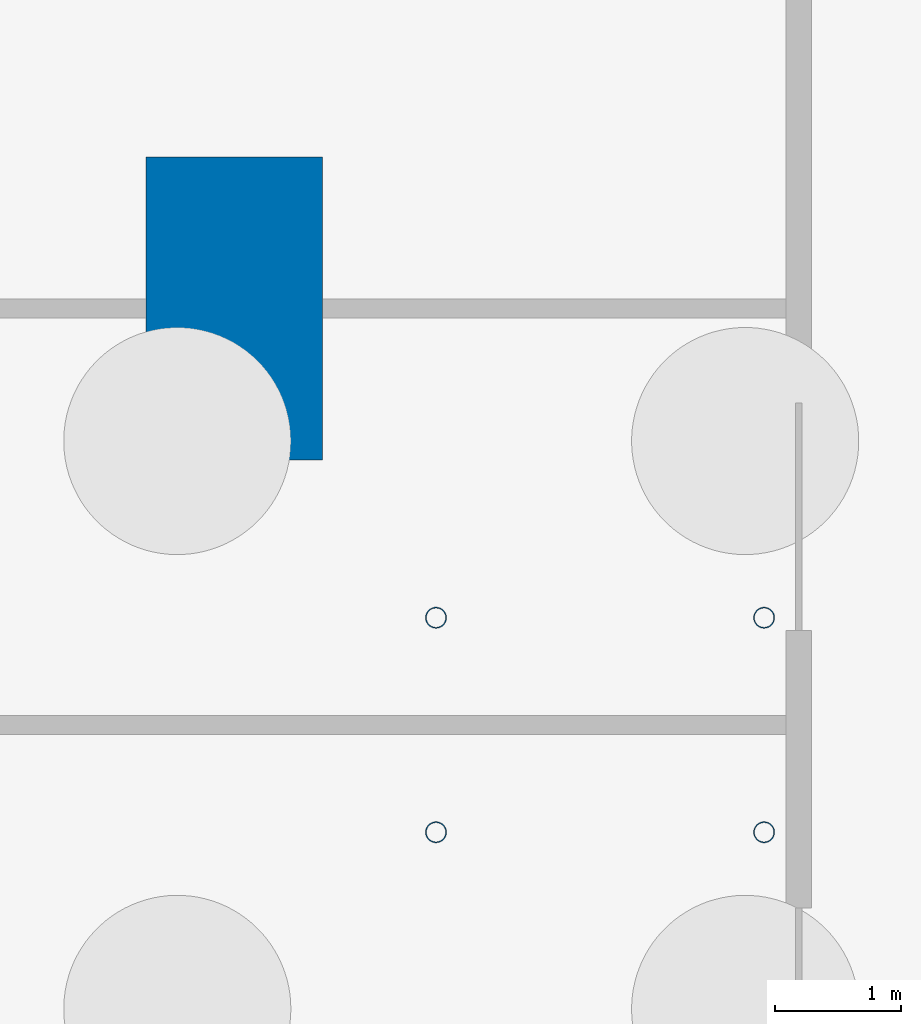
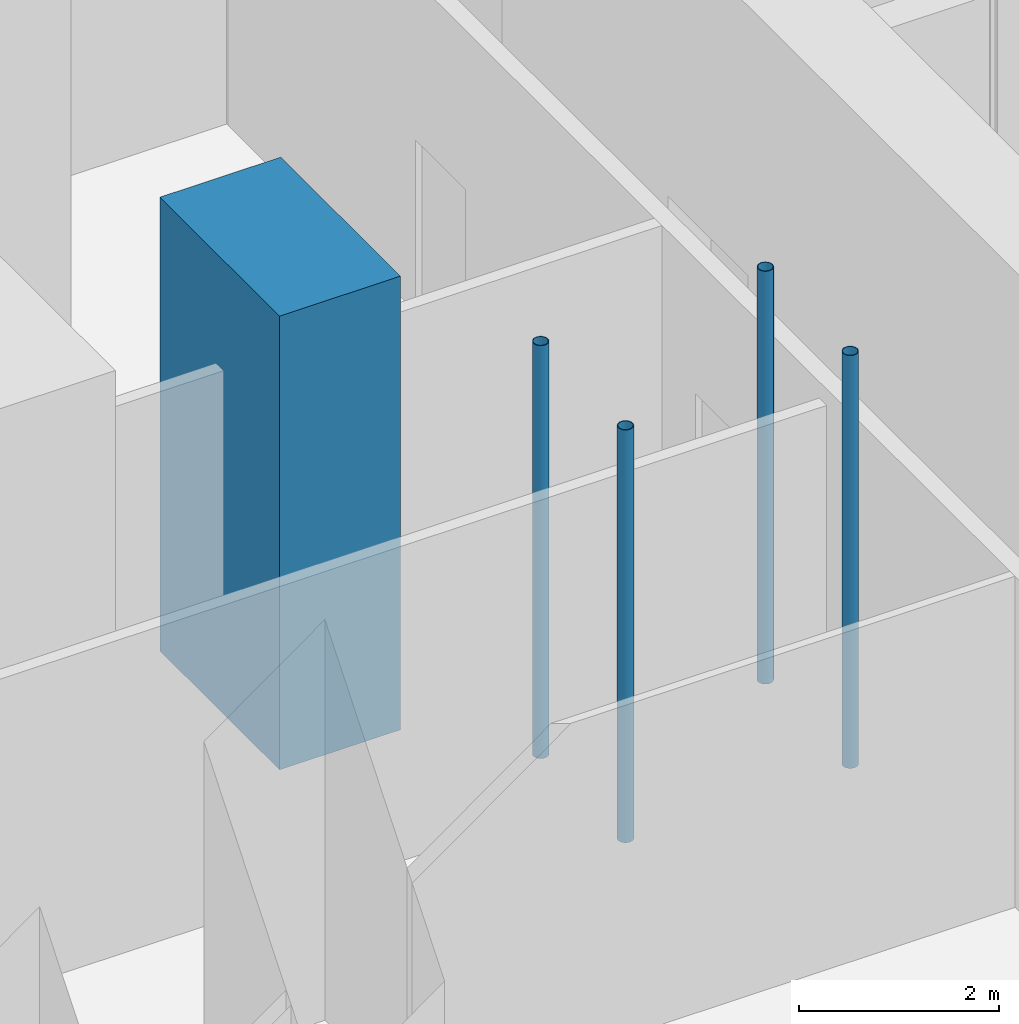
# One storey, part 2 of 17: 5 columns.
"""IFC4 building model written with IfcOpenShell, lengths in metres."""

from ifc_helpers import new_model, si_unit, direction, frame, origin, origin_2d, place, context, subcontext, project, spatial, rectangle, hollow_circle, extrude, material, material_profile, profile_set, type_object, element, save


model = new_model("IFC4")

# Units and contexts
model_context = context("Model", 3, precision=1e-05, world=origin(), true_north=direction((0.0, 1.0)))
body_context = subcontext(model_context, "Body", "Model", "MODEL_VIEW")
ifc_project = project(units=[si_unit("LENGTHUNIT", "METRE"), si_unit("AREAUNIT", "SQUARE_METRE"), si_unit("VOLUMEUNIT", "CUBIC_METRE"), si_unit("PLANEANGLEUNIT", "RADIAN"), si_unit("MASSUNIT", "GRAM", prefix="KILO")], contexts=[model_context])

# Site, building, storey
site_placement = place(None, origin())
site = spatial("IfcSite", under=ifc_project, at=site_placement, CompositionType="ELEMENT")
building_placement = place(site_placement, origin())
building = spatial("IfcBuilding", under=site, at=building_placement, Name="Cobogo Forest Laboratory Tower", CompositionType="ELEMENT")
storey_placement = place(building_placement, frame((0.0, 0.0, -5.39990234375)))
storey = spatial("IfcBuildingStorey", under=building, at=storey_placement, Name="L-01", CompositionType="ELEMENT", Elevation=-5.39990234375)

# Columns
ifc_material_1 = material(Name="Concrete HA-50 (C50/60)", Category="concrete")
ifc_material_profile_1 = material_profile(ifc_material_1, rectangle(XDim=2.39990234375, YDim=1.39990234375, at=origin_2d()), Name="RC 1400x2400")
ifc_profile_set_1 = profile_set([ifc_material_profile_1], Name="Concrete HA-50 (C50/60)")
column_type_1 = type_object("IfcColumnType", Name="Blade column 1400x2400", PredefinedType="COLUMN", material=ifc_profile_set_1)
column_placement = place(storey_placement, frame((6.60009765625, 26.39990234375, -0.150146484375), z_axis=(0.0, 0.0, 1.0), x_axis=(0.0, 1.0, 0.0)))
element("IfcColumn", 1, at=column_placement, inside=storey, type_object=column_type_1, Name="Column 2-E-D L-01", PredefinedType="COLUMN", context=body_context, shape_type="SweptSolid", body=[
    extrude(rectangle(XDim=2.39990234375, YDim=1.39990234375, at=origin_2d()), origin(), (0.0, 0.0, 1.0), 5.550048828125),
])
ifc_material_2 = material(Name="Steel S355", Category="steel")
ifc_material_profile_2 = material_profile(ifc_material_2, hollow_circle(Radius=0.084228515625, WallThickness=0.008056640625, at=origin_2d()), Name="CHS 168.3x8")
ifc_profile_set_2 = profile_set([ifc_material_profile_2], Name="Steel S355")
column_type_2 = type_object("IfcColumnType", Name="FSP1 feature stair landing post CHS 168x8", PredefinedType="COLUMN", material=ifc_profile_set_2)
for number, where, z_axis, x_axis, name in (
    (2, (8.199951171875, 22.25, 0.0), (0.0, 0.0, 1.0), (1.0, 0.0, 0.0), "Feature stair landing post 1 L-01"),
    (3, (10.800048828125, 22.25, 0.0), (0.0, 0.0, 1.0), (1.0, 0.0, 0.0), "Feature stair landing post 2 L-01"),
    (4, (10.800048828125, 23.949951171875, 0.0), (0.0, 0.0, 1.0), (1.0, 0.0, 0.0), "Feature stair landing post 3 L-01"),
    (5, (8.199951171875, 23.949951171875, 0.0), (0.0, 0.0, 1.0), (1.0, 0.0, 0.0), "Feature stair landing post 4 L-01"),
):
    element("IfcColumn", number, at=place(storey_placement, frame(where, z_axis=z_axis, x_axis=x_axis)), inside=storey, type_object=column_type_2, Name=name, PredefinedType="COLUMN", context=body_context, shape_type="SweptSolid", body=[
        extrude(hollow_circle(Radius=0.084228515625, WallThickness=0.008056640625, at=origin_2d()), origin(), (0.0, 0.0, 1.0), 5.0498046875),
    ])

save(model, "model.ifc")
